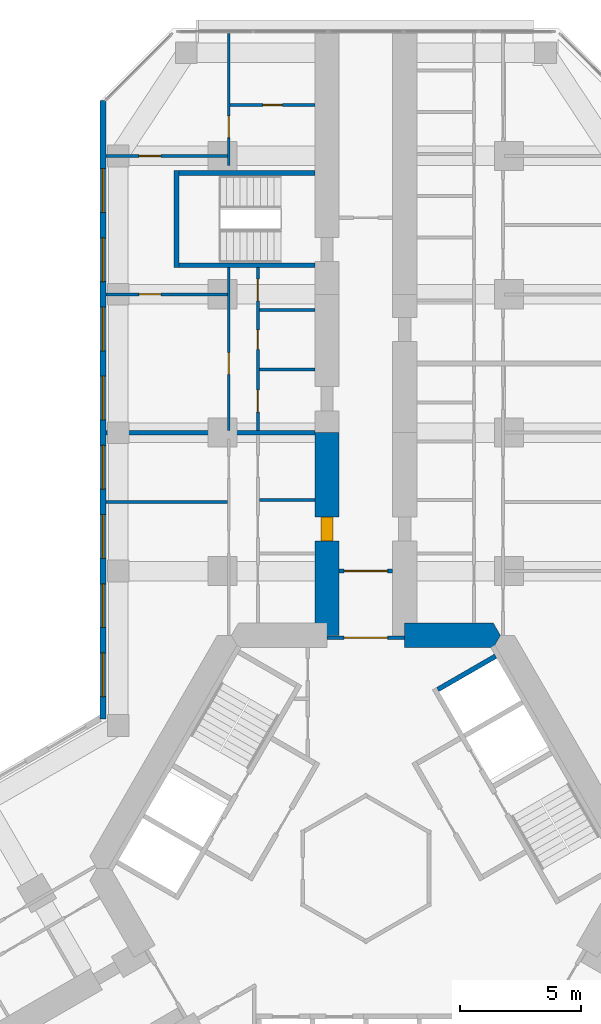
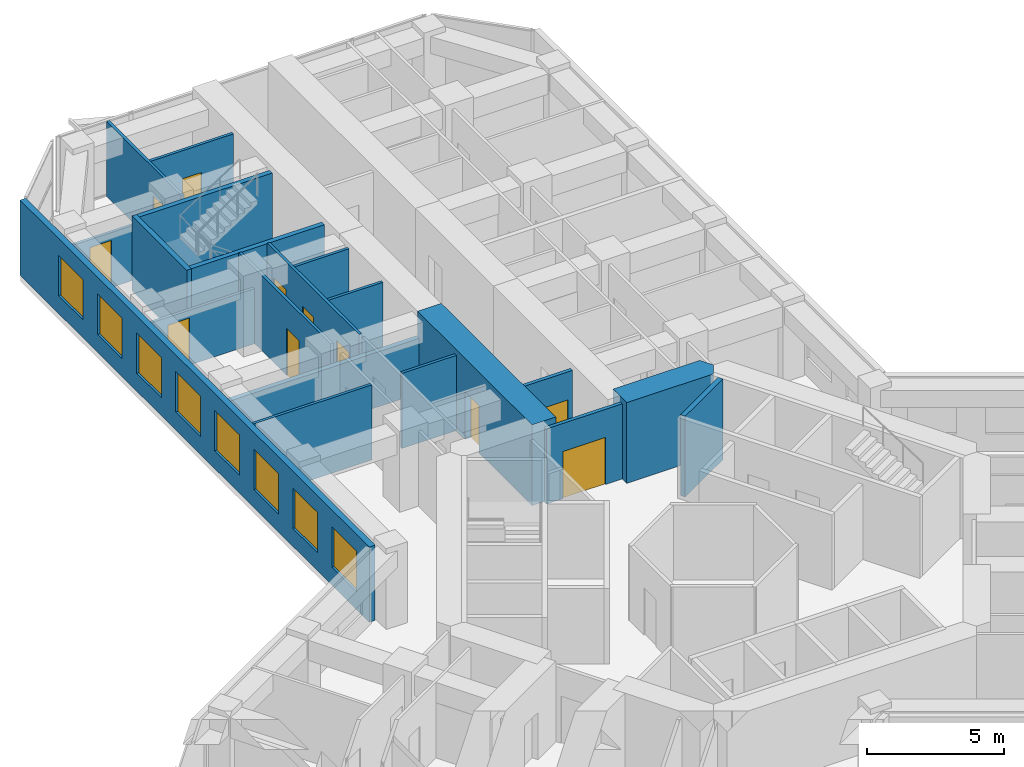
# One storey, part 17 of 21: 20 walls, 11 doors, 8 windows, 19 openings.
"""IFC4 building model written with IfcOpenShell, lengths in metres."""

import ifcopenshell
import ifcopenshell.guid

model = None  # the IFC model being written
_history = None  # IfcOwnerHistory: only IFC2X3 demands one
_inside = {}  # id of a spatial element -> (the spatial element, [elements in it])
_under = {}  # id of a project, library or spatial element -> (it, [spatial elements below it])
_declared = {}  # id of a project -> (the project, [libraries it declares])
_typed = {}  # id of a type object -> (the type object, [elements of that type])
_made_of = {}  # id of a material, layer set ... -> (it, [elements and type objects made of it])


def new_model(schema):
    """Start an empty IFC model of exactly this schema.

    Asked for "IFC4X3", IfcOpenShell would pick the latest addendum, in which some entities
    have other attributes; the version numbers below select the first issue.
    IFC2X3 requires an IfcOwnerHistory on every rooted entity: one is made here for all.
    """
    global model, _history
    if schema == "IFC4X3":
        model = ifcopenshell.file(schema_version=(4, 3, 0, 0))
    else:
        model = ifcopenshell.file(schema=schema)
    _inside.clear()
    _under.clear()
    _declared.clear()
    _typed.clear()
    _made_of.clear()
    _history = None
    if model.schema == "IFC2X3":
        org = make("IfcOrganization", Name="unknown")
        user = make(
            "IfcPersonAndOrganization",
            ThePerson=make("IfcPerson", FamilyName="unknown"),
            TheOrganization=org,
        )
        app = make(
            "IfcApplication",
            ApplicationDeveloper=org,
            Version="unknown",
            ApplicationFullName="unknown",
            ApplicationIdentifier="unknown",
        )
        _history = make(
            "IfcOwnerHistory",
            OwningUser=user,
            OwningApplication=app,
            ChangeAction="ADDED",
            CreationDate=0,
        )
    return model


def make(cls, **values):
    """One entity of the class cls with the attributes given. An attribute that is None is left unset."""
    return model.create_entity(
        cls, **{name: value for name, value in values.items() if value is not None}
    )


def rooted(cls, **values):
    """An entity with a GlobalId (a new one), such as an element, a storey or a relation."""
    return make(cls, GlobalId=ifcopenshell.guid.new(), OwnerHistory=_history, **values)


def si_unit(unit_type, name, prefix=None):
    """IfcSIUnit, for example si_unit("LENGTHUNIT", "METRE", prefix="MILLI")."""
    return make("IfcSIUnit", UnitType=unit_type, Prefix=prefix, Name=name)


def assignment(units):
    """IfcUnitAssignment: the units of a project."""
    return None if units is None else make("IfcUnitAssignment", Units=units)


def point(xyz):
    """IfcCartesianPoint."""
    return None if xyz is None else make("IfcCartesianPoint", Coordinates=xyz)


def direction(xyz):
    """IfcDirection."""
    return None if xyz is None else make("IfcDirection", DirectionRatios=xyz)


def frame(location, z_axis=None, x_axis=None):
    """IfcAxis2Placement3D, a coordinate frame: its origin and axes. An axis left out is left unset."""
    return make(
        "IfcAxis2Placement3D",
        Location=point(location),
        Axis=direction(z_axis),
        RefDirection=direction(x_axis),
    )


def frame_2d(location, x_axis=None):
    """IfcAxis2Placement2D, a coordinate frame in the plane: its origin and x axis."""
    return make(
        "IfcAxis2Placement2D", Location=point(location), RefDirection=direction(x_axis)
    )


def origin():
    """The frame at (0, 0, 0) with its axes left unset."""
    return frame((0.0, 0.0, 0.0))


def place(relative_to, where):
    """IfcLocalPlacement: puts the frame where relative to a parent placement (None: the world)."""
    return make(
        "IfcLocalPlacement", PlacementRelTo=relative_to, RelativePlacement=where
    )


def context(
    kind, dimensions, precision=None, world=None, true_north=None, identifier=None
):
    """IfcGeometricRepresentationContext, for example the 3D "Model" context."""
    return make(
        "IfcGeometricRepresentationContext",
        ContextIdentifier=identifier,
        ContextType=kind,
        CoordinateSpaceDimension=dimensions,
        Precision=precision,
        WorldCoordinateSystem=world,
        TrueNorth=true_north,
    )


def subcontext(parent, identifier, kind, view, scale=None):
    """IfcGeometricRepresentationSubContext, for example "Body" below "Model"."""
    return make(
        "IfcGeometricRepresentationSubContext",
        ContextIdentifier=identifier,
        ContextType=kind,
        ParentContext=parent,
        TargetScale=scale,
        TargetView=view,
    )


def project(units=None, contexts=None):
    """IfcProject with its units and contexts."""
    return rooted(
        "IfcProject",
        Name="project",
        RepresentationContexts=contexts,
        UnitsInContext=assignment(units),
    )


def spatial(cls, under=None, at=None, **own):
    """A site, building, storey or space (cls), placed at a placement, below another one or the project."""
    s = rooted(cls, ObjectPlacement=at, **own)
    if under is not None:
        _under.setdefault(under.id(), (under, []))[1].append(s)
    return s


def polyline(points):
    """IfcPolyline through the points."""
    return make("IfcPolyline", Points=[point(p) for p in points])


def profile(cls, at=None, kind="AREA", **sizes):
    """A parametric profile (cls). Its sizes go by their IFC names, for example OverallWidth=200.0."""
    return make(cls, ProfileType=kind, Position=at, **sizes)


def rectangle(**sizes):
    """IfcRectangleProfileDef."""
    return profile("IfcRectangleProfileDef", **sizes)


def outline(outer, holes=None, kind="AREA"):
    """IfcArbitraryClosedProfileDef: a profile drawn as a closed curve; with holes, ...WithVoids."""
    if holes is None:
        return make("IfcArbitraryClosedProfileDef", ProfileType=kind, OuterCurve=outer)
    return make(
        "IfcArbitraryProfileDefWithVoids",
        ProfileType=kind,
        OuterCurve=outer,
        InnerCurves=holes,
    )


def extrude(swept, where, along, depth):
    """IfcExtrudedAreaSolid: the profile swept, set in the frame where, extruded along a direction by depth."""
    return make(
        "IfcExtrudedAreaSolid",
        SweptArea=swept,
        Position=where,
        ExtrudedDirection=direction(along),
        Depth=depth,
    )


def shape(context_of_items, identifier, shape_type, items):
    """IfcShapeRepresentation: the items that make up one representation, for example the "Body"."""
    return make(
        "IfcShapeRepresentation",
        ContextOfItems=context_of_items,
        RepresentationIdentifier=identifier,
        RepresentationType=shape_type,
        Items=items,
    )


def material(Name=None, Category=None):
    """IfcMaterial."""
    return make("IfcMaterial", Name=Name, Category=Category)


def layer(
    of_material, thickness, ventilated=None, Name=None, Category=None, Priority=None
):
    """IfcMaterialLayer: one layer of a wall or slab, of a material (None: an air gap)."""
    return make(
        "IfcMaterialLayer",
        Material=of_material,
        LayerThickness=thickness,
        IsVentilated=ventilated,
        Name=Name,
        Category=Category,
        Priority=Priority,
    )


def layer_set(layers, Name=None):
    """IfcMaterialLayerSet."""
    return make("IfcMaterialLayerSet", MaterialLayers=layers, LayerSetName=Name)


def made_of(thing, what):
    """Note that an element or type object is made of a material, layer set ...; save() writes the relation."""
    if what is not None:
        _made_of.setdefault(what.id(), (what, []))[1].append(thing)
    return thing


def type_object(cls, material=None, **own):
    """A type object (cls), such as IfcWallType, which elements share."""
    return made_of(rooted(cls, **own), material)


def element(
    cls,
    number,
    at=None,
    inside=None,
    cuts=None,
    type_object=None,
    material=None,
    context=None,
    identifier="Body",
    shape_type=None,
    held_by="IfcProductDefinitionShape",
    body=None,
    shapes=None,
    **own,
):
    """One element of the class cls, such as IfcWall. Its Tag is "e" and its number.

    at: its placement. inside: the storey or other place that contains it. cuts: it is an
    opening in that element (IfcRelVoidsElement). A single representation is given by context,
    identifier, shape_type and body (its items); several are given by shapes. held_by: the class
    of the entity that holds the representations. save() writes the other relations.
    """
    e = rooted(cls, Tag="e%d" % number, ObjectPlacement=at, **own)
    if body is not None:
        shapes = [shape(context, identifier, shape_type, body)]
    if shapes is not None:
        e.Representation = make(held_by, Representations=shapes)
    if inside is not None:
        _inside.setdefault(inside.id(), (inside, []))[1].append(e)
    if cuts is not None:
        rooted(
            "IfcRelVoidsElement", RelatingBuildingElement=cuts, RelatedOpeningElement=e
        )
    if type_object is not None:
        _typed.setdefault(type_object.id(), (type_object, []))[1].append(e)
    return made_of(e, material)


def fill(opening, filler):
    """IfcRelFillsElement: the door or window that sits in an opening."""
    return rooted(
        "IfcRelFillsElement",
        RelatingOpeningElement=opening,
        RelatedBuildingElement=filler,
    )


def aggregate(whole, parts):
    """IfcRelAggregates: a whole, such as a stair, and the parts it consists of."""
    return rooted("IfcRelAggregates", RelatingObject=whole, RelatedObjects=parts)


def save(model, path):
    """Write the relations noted so far, then the file.

    IfcRelAggregates (storeys below a building ...), IfcRelContainedInSpatialStructure (elements
    in a storey), IfcRelDefinesByType, IfcRelAssociatesMaterial and IfcRelDeclares: one each for
    every whole, place, type object, material and project.
    """
    for whole, parts in _under.values():
        aggregate(whole, parts)
    for where, things in _inside.values():
        rooted(
            "IfcRelContainedInSpatialStructure",
            RelatedElements=things,
            RelatingStructure=where,
        )
    for kind, things in _typed.values():
        rooted("IfcRelDefinesByType", RelatedObjects=things, RelatingType=kind)
    for what, things in _made_of.values():
        rooted("IfcRelAssociatesMaterial", RelatedObjects=things, RelatingMaterial=what)
    for by, libraries in _declared.values():
        rooted("IfcRelDeclares", RelatingContext=by, RelatedDefinitions=libraries)
    model.write(path)


model = new_model("IFC4")

# Units and contexts
model_context = context("Model", 3, precision=1e-05, world=origin(), true_north=direction((0.0, 1.0)))
body_context = subcontext(model_context, "Body", "Model", "MODEL_VIEW")
ifc_project = project(units=[si_unit("LENGTHUNIT", "METRE"), si_unit("AREAUNIT", "SQUARE_METRE"), si_unit("VOLUMEUNIT", "CUBIC_METRE"), si_unit("PLANEANGLEUNIT", "RADIAN"), si_unit("MASSUNIT", "GRAM", prefix="KILO")], contexts=[model_context])

# Site, building, storey
site_placement = place(None, origin())
site = spatial("IfcSite", under=ifc_project, at=site_placement, CompositionType="ELEMENT")
building_placement = place(site_placement, origin())
building = spatial("IfcBuilding", under=site, at=building_placement, Name="Kosmar Iwan School Tower", CompositionType="ELEMENT")
storey_placement = place(building_placement, frame((0.0, 0.0, 84.39990234375)))
storey = spatial("IfcBuildingStorey", under=building, at=storey_placement, Name="L20", CompositionType="ELEMENT", Elevation=84.39990234375)

# Wall
ifc_material_1 = material(Name="Concrete C50/60", Category="concrete")
ifc_layer_1 = layer(ifc_material_1, 1.0)
ifc_layer_set_1 = layer_set([ifc_layer_1], Name="Core wall 1000")
wall_type_1 = type_object("IfcWallType", Name="Core wall 1000", PredefinedType="SHEAR", material=ifc_layer_set_1)
wall_1_placement = place(storey_placement, origin())
element("IfcWall", 1, at=wall_1_placement, inside=storey, type_object=wall_type_1, Name="Core wall F090a", PredefinedType="SHEAR", context=body_context, shape_type="SweptSolid", body=[
    extrude(outline(polyline([(1.60009765625, 9.10009765625), (5.25390625, 9.10009765625), (5.54248046875, 9.60009765625), (5.25390625, 10.10009765625), (1.60009765625, 10.10009765625), (1.60009765625, 9.10009765625)])), origin(), (0.0, 0.0, 1.0), 3.60009765625),
])

# Wall, opening, door
ifc_material_2 = material(Name="Concrete C50/60", Category="concrete")
ifc_layer_2 = layer(ifc_material_2, 1.0)
ifc_layer_set_2 = layer_set([ifc_layer_2], Name="Corridor buttress wall 1000")
wall_type_2 = type_object("IfcWallType", Name="Corridor buttress wall 1000", PredefinedType="SHEAR", material=ifc_layer_set_2)
wall_2_placement = place(storey_placement, frame((-1.60009765625, 9.60009765625, 0.0), z_axis=(0.0, 0.0, 1.0), x_axis=(0.0, 1.0, 0.0)))
wall_2 = element("IfcWall", 2, at=wall_2_placement, inside=storey, type_object=wall_type_2, Name="Corridor wall AL", PredefinedType="SHEAR", context=body_context, shape_type="SweptSolid", body=[
    extrude(rectangle(XDim=8.349853515625, YDim=1.0, at=frame_2d((4.1748046875, 0.0))), origin(), (0.0, 0.0, 1.0), 3.60009765625),
])
opening_1_placement = place(wall_2_placement, frame((3.8798828125, 0.0, 0.0)))
opening_1 = element("IfcOpeningElement", 3, at=opening_1_placement, cuts=wall_2, Name="Opening D1", PredefinedType="OPENING", context=body_context, shape_type="SweptSolid", body=[
    extrude(rectangle(XDim=1.0, YDim=2.10009765625, at=frame_2d((0.5, 1.050048828125))), frame((0.0, 0.511962890625, 0.0), z_axis=(0.0, -1.0, 0.0), x_axis=(1.0, 0.0, 0.0)), (0.0, 0.0, 1.0), 1.02392578125),
])
ifc_material_3 = material(Name="Timber fire door in steel frame", Category="steel")
door_type_1 = type_object("IfcDoorType", Name="Flat entrance door 1000x2100", OperationType="SINGLE_SWING_LEFT", PredefinedType="DOOR", material=ifc_material_3)
door_1_placement = place(opening_1_placement, origin())
door_1 = element("IfcDoor", 4, at=door_1_placement, inside=storey, type_object=door_type_1, Name="Flat L20-AL1 entrance door", OperationType="SINGLE_SWING_LEFT", OverallHeight=2.10009765625, OverallWidth=1.0, PredefinedType="DOOR", context=body_context, shape_type="SweptSolid", body=[
    extrude(rectangle(XDim=1.0, YDim=2.10009765625, at=frame_2d((0.5, 1.050048828125))), frame((0.0, 0.25, 0.0), z_axis=(0.0, -1.0, 0.0), x_axis=(1.0, 0.0, 0.0)), (0.0, 0.0, 1.0), 0.5),
])
fill(opening_1, door_1)

ifc_material_4 = material(Name="Gypsum board on steel studs, fire-rated", Category="steel")
ifc_layer_3 = layer(ifc_material_4, 0.14990234375)
ifc_layer_set_3 = layer_set([ifc_layer_3], Name="Corridor end wall 150")
wall_type_3 = type_object("IfcWallType", Name="Corridor end wall 150", PredefinedType="PARTITIONING", material=ifc_layer_set_3)
wall_3_placement = place(storey_placement, frame((1.10009765625, 12.25, 0.0), z_axis=(0.0, 0.0, 1.0), x_axis=(-1.0, 0.0, 0.0)))
wall_3 = element("IfcWall", 5, at=wall_3_placement, inside=storey, type_object=wall_type_3, Name="Partition L20-A-HW", PredefinedType="PARTITIONING", context=body_context, shape_type="SweptSolid", body=[
    extrude(rectangle(XDim=2.2001953125, YDim=0.14990234375, at=frame_2d((1.10009765625, 0.0))), origin(), (0.0, 0.0, 1.0), 3.35009765625),
])
opening_2_placement = place(wall_3_placement, frame((0.199951171875, 0.0, 0.0)))
opening_2 = element("IfcOpeningElement", 6, at=opening_2_placement, cuts=wall_3, Name="Opening D9", PredefinedType="OPENING", context=body_context, shape_type="SweptSolid", body=[
    extrude(rectangle(XDim=1.800048828125, YDim=2.10009765625, at=frame_2d((0.89990234375, 1.050048828125))), frame((0.0, 0.0869140625, 0.0), z_axis=(0.0, -1.0, 0.0), x_axis=(1.0, 0.0, 0.0)), (0.0, 0.0, 1.0), 0.173828125),
])
ifc_material_5 = material(Name="Steel framed glazed smoke door", Category="steel")
door_type_2 = type_object("IfcDoorType", Name="Corridor smoke door pair 1800x2100", OperationType="DOUBLE_DOOR_DOUBLE_SWING", PredefinedType="DOOR", material=ifc_material_5)
door_2_placement = place(opening_2_placement, origin())
door_2 = element("IfcDoor", 7, at=door_2_placement, inside=storey, type_object=door_type_2, Name="Entrance vestibule smoke doors L20-A", OperationType="DOUBLE_DOOR_DOUBLE_SWING", OverallHeight=2.10009765625, OverallWidth=1.800048828125, PredefinedType="DOOR", context=body_context, shape_type="SweptSolid", body=[
    extrude(rectangle(XDim=1.800048828125, YDim=2.10009765625, at=frame_2d((0.89990234375, 1.050048828125))), frame((0.0, 0.02490234375, 0.0), z_axis=(0.0, -1.0, 0.0), x_axis=(1.0, 0.0, 0.0)), (0.0, 0.0, 1.0), 0.050048828125),
])
fill(opening_2, door_2)

ifc_material_6 = material(Name="Steel framed glazed screen", Category="steel")
ifc_layer_4 = layer(ifc_material_6, 0.14990234375)
ifc_layer_set_4 = layer_set([ifc_layer_4], Name="Corridor screen wall 150")
wall_type_4 = type_object("IfcWallType", Name="Corridor screen wall 150", PredefinedType="PARTITIONING", material=ifc_layer_set_4)
wall_4_placement = place(storey_placement, frame((1.60009765625, 9.5, 0.0), z_axis=(0.0, 0.0, 1.0), x_axis=(-1.0, 0.0, 0.0)))
wall_4 = element("IfcWall", 8, at=wall_4_placement, inside=storey, type_object=wall_type_4, Name="Corridor screen A L20", PredefinedType="PARTITIONING", context=body_context, shape_type="SweptSolid", body=[
    extrude(rectangle(XDim=3.2001953125, YDim=0.14990234375, at=frame_2d((1.60009765625, 0.0))), origin(), (0.0, 0.0, 1.0), 3.35009765625),
])
opening_3_placement = place(wall_4_placement, frame((0.699951171875, 0.0, 0.0)))
opening_3 = element("IfcOpeningElement", 9, at=opening_3_placement, cuts=wall_4, Name="Opening D9", PredefinedType="OPENING", context=body_context, shape_type="SweptSolid", body=[
    extrude(rectangle(XDim=1.800048828125, YDim=2.10009765625, at=frame_2d((0.89990234375, 1.050048828125))), frame((0.0, 0.0869140625, 0.0), z_axis=(0.0, -1.0, 0.0), x_axis=(1.0, 0.0, 0.0)), (0.0, 0.0, 1.0), 0.173828125),
])
door_3_placement = place(opening_3_placement, origin())
door_3 = element("IfcDoor", 10, at=door_3_placement, inside=storey, type_object=door_type_2, Name="Corridor doors A L20", OperationType="DOUBLE_DOOR_DOUBLE_SWING", OverallHeight=2.10009765625, OverallWidth=1.800048828125, PredefinedType="DOOR", context=body_context, shape_type="SweptSolid", body=[
    extrude(rectangle(XDim=1.800048828125, YDim=2.10009765625, at=frame_2d((0.89990234375, 1.050048828125))), frame((0.0, 0.02490234375, 0.0), z_axis=(0.0, -1.0, 0.0), x_axis=(1.0, 0.0, 0.0)), (0.0, 0.0, 1.0), 0.050048828125),
])
fill(opening_3, door_3)

# Walls
ifc_material_7 = material(Name="Gypsum board on steel studs", Category="steel")
ifc_layer_5 = layer(ifc_material_7, 0.1201171875)
ifc_layer_set_5 = layer_set([ifc_layer_5], Name="Dwelling partition 120")
wall_type_5 = type_object("IfcWallType", Name="Dwelling partition 120", PredefinedType="PARTITIONING", material=ifc_layer_set_5)
wall_5_placement = place(storey_placement, frame((-5.7099609375, 15.10009765625, 0.0), z_axis=(0.0, 0.0, 1.0), x_axis=(-1.0, 0.0, 0.0)))
element("IfcWall", 11, at=wall_5_placement, inside=storey, type_object=wall_type_5, Name="Partition L20-AL1-X1", PredefinedType="PARTITIONING", context=body_context, shape_type="SweptSolid", body=[
    extrude(rectangle(XDim=4.989990234375, YDim=0.1201171875, at=frame_2d((2.4951171875, 0.0))), origin(), (0.0, 0.0, 1.0), 3.35009765625),
])
wall_6_placement = place(storey_placement, frame((-2.10009765625, 15.179931640625, 0.0), z_axis=(0.0, 0.0, 1.0), x_axis=(-1.0, 0.0, 0.0)))
element("IfcWall", 12, at=wall_6_placement, inside=storey, type_object=wall_type_5, Name="Partition L20-AL1-Y2", PredefinedType="PARTITIONING", context=body_context, shape_type="SweptSolid", body=[
    extrude(rectangle(XDim=2.289794921875, YDim=0.1201171875, at=frame_2d((1.14501953125, 0.0))), origin(), (0.0, 0.0, 1.0), 3.35009765625),
])

# Wall, openings, doors
wall_7_placement = place(storey_placement, frame((-4.449951171875, 18.050048828125, 0.0), z_axis=(0.0, 0.0, 1.0), x_axis=(0.0, 1.0, 0.0)))
wall_7 = element("IfcWall", 13, at=wall_7_placement, inside=storey, type_object=wall_type_5, Name="Partition L20-AL2-W1", PredefinedType="PARTITIONING", context=body_context, shape_type="SweptSolid", body=[
    extrude(rectangle(XDim=6.699951171875, YDim=0.1201171875, at=frame_2d((3.35009765625, 0.0))), origin(), (0.0, 0.0, 1.0), 3.35009765625),
])
opening_4_placement = place(wall_7_placement, frame((0.75, 0.0, 0.0)))
opening_4 = element("IfcOpeningElement", 14, at=opening_4_placement, cuts=wall_7, Name="Opening D2", PredefinedType="OPENING", context=body_context, shape_type="SweptSolid", body=[
    extrude(rectangle(XDim=0.89990234375, YDim=2.10009765625, at=frame_2d((0.449951171875, 1.050048828125))), frame((0.0, 0.072021484375, 0.0), z_axis=(0.0, -1.0, 0.0), x_axis=(1.0, 0.0, 0.0)), (0.0, 0.0, 1.0), 0.14404296875),
])
opening_5_placement = place(wall_7_placement, frame((3.330078125, 0.0, 0.0)))
opening_5 = element("IfcOpeningElement", 15, at=opening_5_placement, cuts=wall_7, Name="Opening D3", PredefinedType="OPENING", context=body_context, shape_type="SweptSolid", body=[
    extrude(rectangle(XDim=0.800048828125, YDim=2.10009765625, at=frame_2d((0.39990234375, 1.050048828125))), frame((0.0, 0.072021484375, 0.0), z_axis=(0.0, -1.0, 0.0), x_axis=(1.0, 0.0, 0.0)), (0.0, 0.0, 1.0), 0.14404296875),
])
opening_6_placement = place(wall_7_placement, frame((5.330078125, 0.0, 0.0)))
opening_6 = element("IfcOpeningElement", 16, at=opening_6_placement, cuts=wall_7, Name="Opening D2", PredefinedType="OPENING", context=body_context, shape_type="SweptSolid", body=[
    extrude(rectangle(XDim=0.89990234375, YDim=2.10009765625, at=frame_2d((0.449951171875, 1.050048828125))), frame((0.0, 0.072021484375, 0.0), z_axis=(0.0, -1.0, 0.0), x_axis=(1.0, 0.0, 0.0)), (0.0, 0.0, 1.0), 0.14404296875),
])
ifc_material_8 = material(Name="Timber door in timber frame", Category="wood")
door_type_3 = type_object("IfcDoorType", Name="Internal door 900x2100", OperationType="SINGLE_SWING_LEFT", PredefinedType="DOOR", material=ifc_material_8)
door_4_placement = place(opening_4_placement, origin())
door_4 = element("IfcDoor", 17, at=door_4_placement, inside=storey, type_object=door_type_3, Name="Entrance hall door L20-AL2-S1", OperationType="SINGLE_SWING_LEFT", OverallHeight=2.10009765625, OverallWidth=0.89990234375, PredefinedType="DOOR", context=body_context, shape_type="SweptSolid", body=[
    extrude(rectangle(XDim=0.89990234375, YDim=2.10009765625, at=frame_2d((0.449951171875, 1.050048828125))), frame((0.0, 0.02490234375, 0.0), z_axis=(0.0, -1.0, 0.0), x_axis=(1.0, 0.0, 0.0)), (0.0, 0.0, 1.0), 0.050048828125),
])
fill(opening_4, door_4)
door_5_placement = place(opening_6_placement, frame((0.89990234375, 0.0, 0.0), z_axis=(0.0, 0.0, 1.0), x_axis=(-1.0, 0.0, 0.0)))
door_5 = element("IfcDoor", 18, at=door_5_placement, inside=storey, type_object=door_type_3, Name="Pantry door L20-AL2-S3", OperationType="SINGLE_SWING_LEFT", OverallHeight=2.10009765625, OverallWidth=0.89990234375, PredefinedType="DOOR", context=body_context, shape_type="SweptSolid", body=[
    extrude(rectangle(XDim=0.89990234375, YDim=2.10009765625, at=frame_2d((0.449951171875, 1.050048828125))), frame((0.0, 0.02490234375, 0.0), z_axis=(0.0, -1.0, 0.0), x_axis=(1.0, 0.0, 0.0)), (0.0, 0.0, 1.0), 0.050048828125),
])
fill(opening_6, door_5)
ifc_material_9 = material(Name="Timber door in timber frame", Category="wood")
door_type_4 = type_object("IfcDoorType", Name="Sanitary room door 800x2100", OperationType="SINGLE_SWING_LEFT", PredefinedType="DOOR", material=ifc_material_9)
door_6_placement = place(opening_5_placement, origin())
door_6 = element("IfcDoor", 19, at=door_6_placement, inside=storey, type_object=door_type_4, Name="Bathroom door L20-AL2-S2", OperationType="SINGLE_SWING_RIGHT", OverallHeight=2.10009765625, OverallWidth=0.800048828125, PredefinedType="DOOR", context=body_context, shape_type="SweptSolid", body=[
    extrude(rectangle(XDim=0.800048828125, YDim=2.10009765625, at=frame_2d((0.39990234375, 1.050048828125))), frame((0.0, 0.02490234375, 0.0), z_axis=(0.0, -1.0, 0.0), x_axis=(1.0, 0.0, 0.0)), (0.0, 0.0, 1.0), 0.050048828125),
])
fill(opening_5, door_6)

# Wall, opening, door
wall_8_placement = place(storey_placement, frame((-5.64990234375, 18.050048828125, 0.0), z_axis=(0.0, 0.0, 1.0), x_axis=(0.0, 1.0, 0.0)))
wall_8 = element("IfcWall", 20, at=wall_8_placement, inside=storey, type_object=wall_type_5, Name="Partition L20-AL2-W2", PredefinedType="PARTITIONING", context=body_context, shape_type="SweptSolid", body=[
    extrude(rectangle(XDim=6.699951171875, YDim=0.1201171875, at=frame_2d((3.35009765625, 0.0))), origin(), (0.0, 0.0, 1.0), 3.35009765625),
])
opening_7_placement = place(wall_8_placement, frame((2.300048828125, 0.0, 0.0)))
opening_7 = element("IfcOpeningElement", 21, at=opening_7_placement, cuts=wall_8, Name="Opening D2", PredefinedType="OPENING", context=body_context, shape_type="SweptSolid", body=[
    extrude(rectangle(XDim=0.89990234375, YDim=2.10009765625, at=frame_2d((0.449951171875, 1.050048828125))), frame((0.0, 0.072021484375, 0.0), z_axis=(0.0, -1.0, 0.0), x_axis=(1.0, 0.0, 0.0)), (0.0, 0.0, 1.0), 0.14404296875),
])
door_7_placement = place(opening_7_placement, origin())
door_7 = element("IfcDoor", 22, at=door_7_placement, inside=storey, type_object=door_type_3, Name="Studio living room and kitchen door L20-AL2-F1", OperationType="SINGLE_SWING_RIGHT", OverallHeight=2.10009765625, OverallWidth=0.89990234375, PredefinedType="DOOR", context=body_context, shape_type="SweptSolid", body=[
    extrude(rectangle(XDim=0.89990234375, YDim=2.10009765625, at=frame_2d((0.449951171875, 1.050048828125))), frame((0.0, 0.02490234375, 0.0), z_axis=(0.0, -1.0, 0.0), x_axis=(1.0, 0.0, 0.0)), (0.0, 0.0, 1.0), 0.050048828125),
])
fill(opening_7, door_7)

# Walls
for number, where, z_axis, x_axis, name in (
    (23, (-2.10009765625, 20.550048828125, 0.0), (0.0, 0.0, 1.0), (-1.0, 0.0, 0.0), "Partition L20-AL2-Y1"),
    (24, (-2.10009765625, 23.010009765625, 0.0), (0.0, 0.0, 1.0), (-1.0, 0.0, 0.0), "Partition L20-AL2-Y2"),
):
    element("IfcWall", number, at=place(storey_placement, frame(where, z_axis=z_axis, x_axis=x_axis)), inside=storey, type_object=wall_type_5, Name=name, PredefinedType="PARTITIONING", context=body_context, shape_type="SweptSolid", body=[
        extrude(rectangle(XDim=2.289794921875, YDim=0.1201171875, at=frame_2d((1.14501953125, 0.0))), origin(), (0.0, 0.0, 1.0), 3.35009765625),
    ])

# Wall, opening, door
wall_9_placement = place(storey_placement, frame((-5.7099609375, 23.64990234375, 0.0), z_axis=(0.0, 0.0, 1.0), x_axis=(-1.0, 0.0, 0.0)))
wall_9 = element("IfcWall", 25, at=wall_9_placement, inside=storey, type_object=wall_type_5, Name="Partition L20-AL2-TB", PredefinedType="PARTITIONING", context=body_context, shape_type="SweptSolid", body=[
    extrude(rectangle(XDim=4.989990234375, YDim=0.1201171875, at=frame_2d((2.4951171875, 0.0))), origin(), (0.0, 0.0, 1.0), 2.4501953125),
])
opening_8_placement = place(wall_9_placement, frame((2.739990234375, 0.0, 0.0)))
opening_8 = element("IfcOpeningElement", 26, at=opening_8_placement, cuts=wall_9, Name="Opening D2", PredefinedType="OPENING", context=body_context, shape_type="SweptSolid", body=[
    extrude(rectangle(XDim=0.89990234375, YDim=2.10009765625, at=frame_2d((0.449951171875, 1.050048828125))), frame((0.0, 0.072021484375, 0.0), z_axis=(0.0, -1.0, 0.0), x_axis=(1.0, 0.0, 0.0)), (0.0, 0.0, 1.0), 0.14404296875),
])
door_8_placement = place(opening_8_placement, origin())
door_8 = element("IfcDoor", 27, at=door_8_placement, inside=storey, type_object=door_type_3, Name="Study door L20-AL2-F1", OperationType="SINGLE_SWING_RIGHT", OverallHeight=2.10009765625, OverallWidth=0.89990234375, PredefinedType="DOOR", context=body_context, shape_type="SweptSolid", body=[
    extrude(rectangle(XDim=0.89990234375, YDim=2.10009765625, at=frame_2d((0.449951171875, 1.050048828125))), frame((0.0, 0.02490234375, 0.0), z_axis=(0.0, -1.0, 0.0), x_axis=(1.0, 0.0, 0.0)), (0.0, 0.0, 1.0), 0.050048828125),
])
fill(opening_8, door_8)

wall_10_placement = place(storey_placement, frame((-5.7099609375, 29.35009765625, 0.0), z_axis=(0.0, 0.0, 1.0), x_axis=(-1.0, 0.0, 0.0)))
wall_10 = element("IfcWall", 28, at=wall_10_placement, inside=storey, type_object=wall_type_5, Name="Partition L20-AL2-TX", PredefinedType="PARTITIONING", context=body_context, shape_type="SweptSolid", body=[
    extrude(rectangle(XDim=4.989990234375, YDim=0.1201171875, at=frame_2d((2.4951171875, 0.0))), origin(), (0.0, 0.0, 1.0), 2.4501953125),
])
opening_9_placement = place(wall_10_placement, frame((2.739990234375, 0.0, 0.0)))
opening_9 = element("IfcOpeningElement", 29, at=opening_9_placement, cuts=wall_10, Name="Opening D2", PredefinedType="OPENING", context=body_context, shape_type="SweptSolid", body=[
    extrude(rectangle(XDim=0.89990234375, YDim=2.10009765625, at=frame_2d((0.449951171875, 1.050048828125))), frame((0.0, 0.072021484375, 0.0), z_axis=(0.0, -1.0, 0.0), x_axis=(1.0, 0.0, 0.0)), (0.0, 0.0, 1.0), 0.14404296875),
])
door_9_placement = place(opening_9_placement, origin())
door_9 = element("IfcDoor", 30, at=door_9_placement, inside=storey, type_object=door_type_3, Name="Study door L20-AL2-T1", OperationType="SINGLE_SWING_RIGHT", OverallHeight=2.10009765625, OverallWidth=0.89990234375, PredefinedType="DOOR", context=body_context, shape_type="SweptSolid", body=[
    extrude(rectangle(XDim=0.89990234375, YDim=2.10009765625, at=frame_2d((0.449951171875, 1.050048828125))), frame((0.0, 0.02490234375, 0.0), z_axis=(0.0, -1.0, 0.0), x_axis=(1.0, 0.0, 0.0)), (0.0, 0.0, 1.0), 0.050048828125),
])
fill(opening_9, door_9)

wall_11_placement = place(storey_placement, frame((-5.64990234375, 28.949951171875, 0.0), z_axis=(0.0, 0.0, 1.0), x_axis=(0.0, 1.0, 0.0)))
wall_11 = element("IfcWall", 31, at=wall_11_placement, inside=storey, type_object=wall_type_5, Name="Partition L20-AL2-TW", PredefinedType="PARTITIONING", context=body_context, shape_type="SweptSolid", body=[
    extrude(rectangle(XDim=5.445068359375, YDim=0.1201171875, at=frame_2d((2.72265625, 0.0))), origin(), (0.0, 0.0, 1.0), 3.35009765625),
])
opening_10_placement = place(wall_11_placement, frame((1.14990234375, 0.0, 0.0)))
opening_10 = element("IfcOpeningElement", 32, at=opening_10_placement, cuts=wall_11, Name="Opening D2", PredefinedType="OPENING", context=body_context, shape_type="SweptSolid", body=[
    extrude(rectangle(XDim=0.89990234375, YDim=2.10009765625, at=frame_2d((0.449951171875, 1.050048828125))), frame((0.0, 0.072021484375, 0.0), z_axis=(0.0, -1.0, 0.0), x_axis=(1.0, 0.0, 0.0)), (0.0, 0.0, 1.0), 0.14404296875),
])
door_10_placement = place(opening_10_placement, origin())
door_10 = element("IfcDoor", 33, at=door_10_placement, inside=storey, type_object=door_type_3, Name="Dressing room door L20-AL2-T3", OperationType="SINGLE_SWING_LEFT", OverallHeight=2.10009765625, OverallWidth=0.89990234375, PredefinedType="DOOR", context=body_context, shape_type="SweptSolid", body=[
    extrude(rectangle(XDim=0.89990234375, YDim=2.10009765625, at=frame_2d((0.449951171875, 1.050048828125))), frame((0.0, 0.02490234375, 0.0), z_axis=(0.0, -1.0, 0.0), x_axis=(1.0, 0.0, 0.0)), (0.0, 0.0, 1.0), 0.050048828125),
])
fill(opening_10, door_10)

wall_12_placement = place(storey_placement, frame((-2.10009765625, 31.449951171875, 0.0), z_axis=(0.0, 0.0, 1.0), x_axis=(-1.0, 0.0, 0.0)))
wall_12 = element("IfcWall", 34, at=wall_12_placement, inside=storey, type_object=wall_type_5, Name="Partition L20-AL2-TY", PredefinedType="PARTITIONING", context=body_context, shape_type="SweptSolid", body=[
    extrude(rectangle(XDim=3.489990234375, YDim=0.1201171875, at=frame_2d((1.7451171875, 0.0))), origin(), (0.0, 0.0, 1.0), 3.35009765625),
])
opening_11_placement = place(wall_12_placement, frame((1.344970703125, 0.0, 0.0)))
opening_11 = element("IfcOpeningElement", 35, at=opening_11_placement, cuts=wall_12, Name="Opening D3", PredefinedType="OPENING", context=body_context, shape_type="SweptSolid", body=[
    extrude(rectangle(XDim=0.800048828125, YDim=2.10009765625, at=frame_2d((0.39990234375, 1.050048828125))), frame((0.0, 0.072021484375, 0.0), z_axis=(0.0, -1.0, 0.0), x_axis=(1.0, 0.0, 0.0)), (0.0, 0.0, 1.0), 0.14404296875),
])
door_11_placement = place(opening_11_placement, origin())
door_11 = element("IfcDoor", 36, at=door_11_placement, inside=storey, type_object=door_type_4, Name="Shower room door L20-AL2-T4", OperationType="SINGLE_SWING_LEFT", OverallHeight=2.10009765625, OverallWidth=0.800048828125, PredefinedType="DOOR", context=body_context, shape_type="SweptSolid", body=[
    extrude(rectangle(XDim=0.800048828125, YDim=2.10009765625, at=frame_2d((0.39990234375, 1.050048828125))), frame((0.0, 0.02490234375, 0.0), z_axis=(0.0, -1.0, 0.0), x_axis=(1.0, 0.0, 0.0)), (0.0, 0.0, 1.0), 0.050048828125),
])
fill(opening_11, door_11)

# Walls
ifc_material_10 = material(Name="Concrete C35/45", Category="concrete")
ifc_layer_6 = layer(ifc_material_10, 0.199951171875)
ifc_layer_set_6 = layer_set([ifc_layer_6], Name="Escape stair wall 200")
wall_type_6 = type_object("IfcWallType", Name="Escape stair wall 200", PredefinedType="SHEAR", material=ifc_layer_set_6)
for number, where, z_axis, x_axis, name in (
    (37, (-2.10009765625, 24.85009765625, 0.0), (0.0, 0.0, 1.0), (-1.0, 0.0, 0.0), "Stair WS1 wall"),
    (38, (-2.10009765625, 28.64990234375, 0.0), (0.0, 0.0, 1.0), (-1.0, 0.0, 0.0), "Stair WS1 wall"),
):
    element("IfcWall", number, at=place(storey_placement, frame(where, z_axis=z_axis, x_axis=x_axis)), inside=storey, type_object=wall_type_6, Name=name, PredefinedType="SHEAR", context=body_context, shape_type="SweptSolid", body=[
        extrude(rectangle(XDim=5.7998046875, YDim=0.199951171875, at=frame_2d((2.89990234375, 0.0))), origin(), (0.0, 0.0, 1.0), 3.330078125),
    ])
wall_13_placement = place(storey_placement, frame((-7.800048828125, 24.75, 0.0), z_axis=(0.0, 0.0, 1.0), x_axis=(0.0, 1.0, 0.0)))
element("IfcWall", 39, at=wall_13_placement, inside=storey, type_object=wall_type_6, Name="Stair WS1 wall", PredefinedType="SHEAR", context=body_context, shape_type="SweptSolid", body=[
    extrude(rectangle(XDim=4.0, YDim=0.199951171875, at=frame_2d((2.0, 0.0))), origin(), (0.0, 0.0, 1.0), 3.330078125),
])

# Wall, openings, windows
ifc_material_11 = material(Name="Black aluminium rainscreen on insulated framing", Category="aluminium")
ifc_layer_7 = layer(ifc_material_11, 0.25)
ifc_layer_set_7 = layer_set([ifc_layer_7], Name="External wall rainscreen 250")
wall_type_7 = type_object("IfcWallType", Name="External wall rainscreen 250", PredefinedType="SOLIDWALL", material=ifc_layer_set_7)
wall_14_placement = place(storey_placement, frame((-10.824951171875, 6.14794921875, 0.0), z_axis=(0.0, 0.0, 1.0), x_axis=(0.0, 1.0, 0.0)))
wall_14 = element("IfcWall", 40, at=wall_14_placement, inside=storey, type_object=wall_type_7, Name="External wall AL L20", PredefinedType="SOLIDWALL", context=body_context, shape_type="SweptSolid", body=[
    extrude(rectangle(XDim=25.4873046875, YDim=0.25, at=frame_2d((12.74365234375, 0.0))), origin(), (0.0, 0.0, 1.0), 3.35009765625),
])
opening_12_placement = place(wall_14_placement, frame((0.927001953125, 0.0, 0.800048828125)))
opening_12 = element("IfcOpeningElement", 41, at=opening_12_placement, cuts=wall_14, Name="Opening W1", PredefinedType="OPENING", context=body_context, shape_type="SweptSolid", body=[
    extrude(rectangle(XDim=1.800048828125, YDim=1.800048828125, at=frame_2d((0.89990234375, 0.89990234375))), frame((0.0, 0.136962890625, 0.0), z_axis=(0.0, -1.0, 0.0), x_axis=(1.0, 0.0, 0.0)), (0.0, 0.0, 1.0), 0.27392578125),
])
opening_13_placement = place(wall_14_placement, frame((3.777099609375, 0.0, 0.800048828125)))
opening_13 = element("IfcOpeningElement", 42, at=opening_13_placement, cuts=wall_14, Name="Opening W1", PredefinedType="OPENING", context=body_context, shape_type="SweptSolid", body=[
    extrude(rectangle(XDim=1.800048828125, YDim=1.800048828125, at=frame_2d((0.89990234375, 0.89990234375))), frame((0.0, 0.136962890625, 0.0), z_axis=(0.0, -1.0, 0.0), x_axis=(1.0, 0.0, 0.0)), (0.0, 0.0, 1.0), 0.27392578125),
])
opening_14_placement = place(wall_14_placement, frame((6.626953125, 0.0, 0.800048828125)))
opening_14 = element("IfcOpeningElement", 43, at=opening_14_placement, cuts=wall_14, Name="Opening W1", PredefinedType="OPENING", context=body_context, shape_type="SweptSolid", body=[
    extrude(rectangle(XDim=1.800048828125, YDim=1.800048828125, at=frame_2d((0.89990234375, 0.89990234375))), frame((0.0, 0.136962890625, 0.0), z_axis=(0.0, -1.0, 0.0), x_axis=(1.0, 0.0, 0.0)), (0.0, 0.0, 1.0), 0.27392578125),
])
opening_15_placement = place(wall_14_placement, frame((9.47705078125, 0.0, 0.800048828125)))
opening_15 = element("IfcOpeningElement", 44, at=opening_15_placement, cuts=wall_14, Name="Opening W1", PredefinedType="OPENING", context=body_context, shape_type="SweptSolid", body=[
    extrude(rectangle(XDim=1.800048828125, YDim=1.800048828125, at=frame_2d((0.89990234375, 0.89990234375))), frame((0.0, 0.136962890625, 0.0), z_axis=(0.0, -1.0, 0.0), x_axis=(1.0, 0.0, 0.0)), (0.0, 0.0, 1.0), 0.27392578125),
])
opening_16_placement = place(wall_14_placement, frame((12.326904296875, 0.0, 0.800048828125)))
opening_16 = element("IfcOpeningElement", 45, at=opening_16_placement, cuts=wall_14, Name="Opening W1", PredefinedType="OPENING", context=body_context, shape_type="SweptSolid", body=[
    extrude(rectangle(XDim=1.800048828125, YDim=1.800048828125, at=frame_2d((0.89990234375, 0.89990234375))), frame((0.0, 0.136962890625, 0.0), z_axis=(0.0, -1.0, 0.0), x_axis=(1.0, 0.0, 0.0)), (0.0, 0.0, 1.0), 0.27392578125),
])
opening_17_placement = place(wall_14_placement, frame((15.177001953125, 0.0, 0.800048828125)))
opening_17 = element("IfcOpeningElement", 46, at=opening_17_placement, cuts=wall_14, Name="Opening W1", PredefinedType="OPENING", context=body_context, shape_type="SweptSolid", body=[
    extrude(rectangle(XDim=1.800048828125, YDim=1.800048828125, at=frame_2d((0.89990234375, 0.89990234375))), frame((0.0, 0.136962890625, 0.0), z_axis=(0.0, -1.0, 0.0), x_axis=(1.0, 0.0, 0.0)), (0.0, 0.0, 1.0), 0.27392578125),
])
opening_18_placement = place(wall_14_placement, frame((18.027099609375, 0.0, 0.800048828125)))
opening_18 = element("IfcOpeningElement", 47, at=opening_18_placement, cuts=wall_14, Name="Opening W1", PredefinedType="OPENING", context=body_context, shape_type="SweptSolid", body=[
    extrude(rectangle(XDim=1.800048828125, YDim=1.800048828125, at=frame_2d((0.89990234375, 0.89990234375))), frame((0.0, 0.136962890625, 0.0), z_axis=(0.0, -1.0, 0.0), x_axis=(1.0, 0.0, 0.0)), (0.0, 0.0, 1.0), 0.27392578125),
])
opening_19_placement = place(wall_14_placement, frame((20.876953125, 0.0, 0.800048828125)))
opening_19 = element("IfcOpeningElement", 48, at=opening_19_placement, cuts=wall_14, Name="Opening W1", PredefinedType="OPENING", context=body_context, shape_type="SweptSolid", body=[
    extrude(rectangle(XDim=1.800048828125, YDim=1.800048828125, at=frame_2d((0.89990234375, 0.89990234375))), frame((0.0, 0.136962890625, 0.0), z_axis=(0.0, -1.0, 0.0), x_axis=(1.0, 0.0, 0.0)), (0.0, 0.0, 1.0), 0.27392578125),
])
ifc_material_12 = material(Name="Black aluminium frame with dark triple glazing", Category="aluminium")
window_type = type_object("IfcWindowType", Name="Window 1800x1800", PartitioningType="SINGLE_PANEL", PredefinedType="WINDOW", material=ifc_material_12)
window_1_placement = place(opening_12_placement, origin())
window_1 = element("IfcWindow", 49, at=window_1_placement, inside=storey, type_object=window_type, Name="Window AL L20 -1", OverallHeight=1.800048828125, OverallWidth=1.800048828125, PartitioningType="SINGLE_PANEL", PredefinedType="WINDOW", context=body_context, shape_type="SweptSolid", body=[
    extrude(rectangle(XDim=1.800048828125, YDim=1.800048828125, at=frame_2d((0.89990234375, 0.89990234375))), frame((0.0, 0.030029296875, 0.0), z_axis=(0.0, -1.0, 0.0), x_axis=(1.0, 0.0, 0.0)), (0.0, 0.0, 1.0), 0.06005859375),
])
fill(opening_12, window_1)
window_2_placement = place(opening_13_placement, origin())
window_2 = element("IfcWindow", 50, at=window_2_placement, inside=storey, type_object=window_type, Name="Window AL L20 0", OverallHeight=1.800048828125, OverallWidth=1.800048828125, PartitioningType="SINGLE_PANEL", PredefinedType="WINDOW", context=body_context, shape_type="SweptSolid", body=[
    extrude(rectangle(XDim=1.800048828125, YDim=1.800048828125, at=frame_2d((0.89990234375, 0.89990234375))), frame((0.0, 0.030029296875, 0.0), z_axis=(0.0, -1.0, 0.0), x_axis=(1.0, 0.0, 0.0)), (0.0, 0.0, 1.0), 0.06005859375),
])
fill(opening_13, window_2)
window_3_placement = place(opening_14_placement, origin())
window_3 = element("IfcWindow", 51, at=window_3_placement, inside=storey, type_object=window_type, Name="Window AL L20 1", OverallHeight=1.800048828125, OverallWidth=1.800048828125, PartitioningType="SINGLE_PANEL", PredefinedType="WINDOW", context=body_context, shape_type="SweptSolid", body=[
    extrude(rectangle(XDim=1.800048828125, YDim=1.800048828125, at=frame_2d((0.89990234375, 0.89990234375))), frame((0.0, 0.030029296875, 0.0), z_axis=(0.0, -1.0, 0.0), x_axis=(1.0, 0.0, 0.0)), (0.0, 0.0, 1.0), 0.06005859375),
])
fill(opening_14, window_3)
window_4_placement = place(opening_15_placement, origin())
window_4 = element("IfcWindow", 52, at=window_4_placement, inside=storey, type_object=window_type, Name="Window AL L20 2", OverallHeight=1.800048828125, OverallWidth=1.800048828125, PartitioningType="SINGLE_PANEL", PredefinedType="WINDOW", context=body_context, shape_type="SweptSolid", body=[
    extrude(rectangle(XDim=1.800048828125, YDim=1.800048828125, at=frame_2d((0.89990234375, 0.89990234375))), frame((0.0, 0.030029296875, 0.0), z_axis=(0.0, -1.0, 0.0), x_axis=(1.0, 0.0, 0.0)), (0.0, 0.0, 1.0), 0.06005859375),
])
fill(opening_15, window_4)
window_5_placement = place(opening_16_placement, origin())
window_5 = element("IfcWindow", 53, at=window_5_placement, inside=storey, type_object=window_type, Name="Window AL L20 3", OverallHeight=1.800048828125, OverallWidth=1.800048828125, PartitioningType="SINGLE_PANEL", PredefinedType="WINDOW", context=body_context, shape_type="SweptSolid", body=[
    extrude(rectangle(XDim=1.800048828125, YDim=1.800048828125, at=frame_2d((0.89990234375, 0.89990234375))), frame((0.0, 0.030029296875, 0.0), z_axis=(0.0, -1.0, 0.0), x_axis=(1.0, 0.0, 0.0)), (0.0, 0.0, 1.0), 0.06005859375),
])
fill(opening_16, window_5)
window_6_placement = place(opening_17_placement, origin())
window_6 = element("IfcWindow", 54, at=window_6_placement, inside=storey, type_object=window_type, Name="Window AL L20 4", OverallHeight=1.800048828125, OverallWidth=1.800048828125, PartitioningType="SINGLE_PANEL", PredefinedType="WINDOW", context=body_context, shape_type="SweptSolid", body=[
    extrude(rectangle(XDim=1.800048828125, YDim=1.800048828125, at=frame_2d((0.89990234375, 0.89990234375))), frame((0.0, 0.030029296875, 0.0), z_axis=(0.0, -1.0, 0.0), x_axis=(1.0, 0.0, 0.0)), (0.0, 0.0, 1.0), 0.06005859375),
])
fill(opening_17, window_6)
window_7_placement = place(opening_18_placement, origin())
window_7 = element("IfcWindow", 55, at=window_7_placement, inside=storey, type_object=window_type, Name="Window AL L20 5", OverallHeight=1.800048828125, OverallWidth=1.800048828125, PartitioningType="SINGLE_PANEL", PredefinedType="WINDOW", context=body_context, shape_type="SweptSolid", body=[
    extrude(rectangle(XDim=1.800048828125, YDim=1.800048828125, at=frame_2d((0.89990234375, 0.89990234375))), frame((0.0, 0.030029296875, 0.0), z_axis=(0.0, -1.0, 0.0), x_axis=(1.0, 0.0, 0.0)), (0.0, 0.0, 1.0), 0.06005859375),
])
fill(opening_18, window_7)
window_8_placement = place(opening_19_placement, origin())
window_8 = element("IfcWindow", 56, at=window_8_placement, inside=storey, type_object=window_type, Name="Window AL L20 6", OverallHeight=1.800048828125, OverallWidth=1.800048828125, PartitioningType="SINGLE_PANEL", PredefinedType="WINDOW", context=body_context, shape_type="SweptSolid", body=[
    extrude(rectangle(XDim=1.800048828125, YDim=1.800048828125, at=frame_2d((0.89990234375, 0.89990234375))), frame((0.0, 0.030029296875, 0.0), z_axis=(0.0, -1.0, 0.0), x_axis=(1.0, 0.0, 0.0)), (0.0, 0.0, 1.0), 0.06005859375),
])
fill(opening_19, window_8)

# Walls
ifc_material_13 = material(Name="Concrete C50/60", Category="concrete")
ifc_layer_8 = layer(ifc_material_13, 0.199951171875)
ifc_layer_set_8 = layer_set([ifc_layer_8], Name="Lift shaft wall 200")
wall_type_8 = type_object("IfcWallType", Name="Lift shaft wall 200", PredefinedType="SHEAR", material=ifc_layer_set_8)
wall_15_placement = place(storey_placement, frame((2.962646484375, 7.368408203125, 0.0), z_axis=(0.0, 0.0, 1.0), x_axis=(0.866027397988, 0.499996545922, 0.0)))
element("IfcWall", 57, at=wall_15_placement, inside=storey, type_object=wall_type_8, Name="Lift shaft wall AC 2", PredefinedType="SHEAR", context=body_context, shape_type="SweptSolid", body=[
    extrude(rectangle(XDim=2.75, YDim=0.199951171875, at=frame_2d((1.375, 0.0))), origin(), (0.0, 0.0, 1.0), 3.60009765625),
])
ifc_material_14 = material(Name="Concrete block masonry", Category="masonry")
ifc_layer_9 = layer(ifc_material_14, 0.199951171875)
ifc_layer_set_9 = layer_set([ifc_layer_9], Name="Party wall 200")
wall_type_9 = type_object("IfcWallType", Name="Party wall 200", PredefinedType="PARTITIONING", material=ifc_layer_set_9)
wall_16_placement = place(storey_placement, frame((-2.10009765625, 17.949951171875, 0.0), z_axis=(0.0, 0.0, 1.0), x_axis=(-1.0, 0.0, 0.0)))
element("IfcWall", 58, at=wall_16_placement, inside=storey, type_object=wall_type_9, Name="Partition L20-AL2-PW", PredefinedType="PARTITIONING", context=body_context, shape_type="SweptSolid", body=[
    extrude(rectangle(XDim=8.599853515625, YDim=0.199951171875, at=frame_2d((4.2998046875, 0.0))), origin(), (0.0, 0.0, 1.0), 2.4501953125),
])

save(model, "model.ifc")
